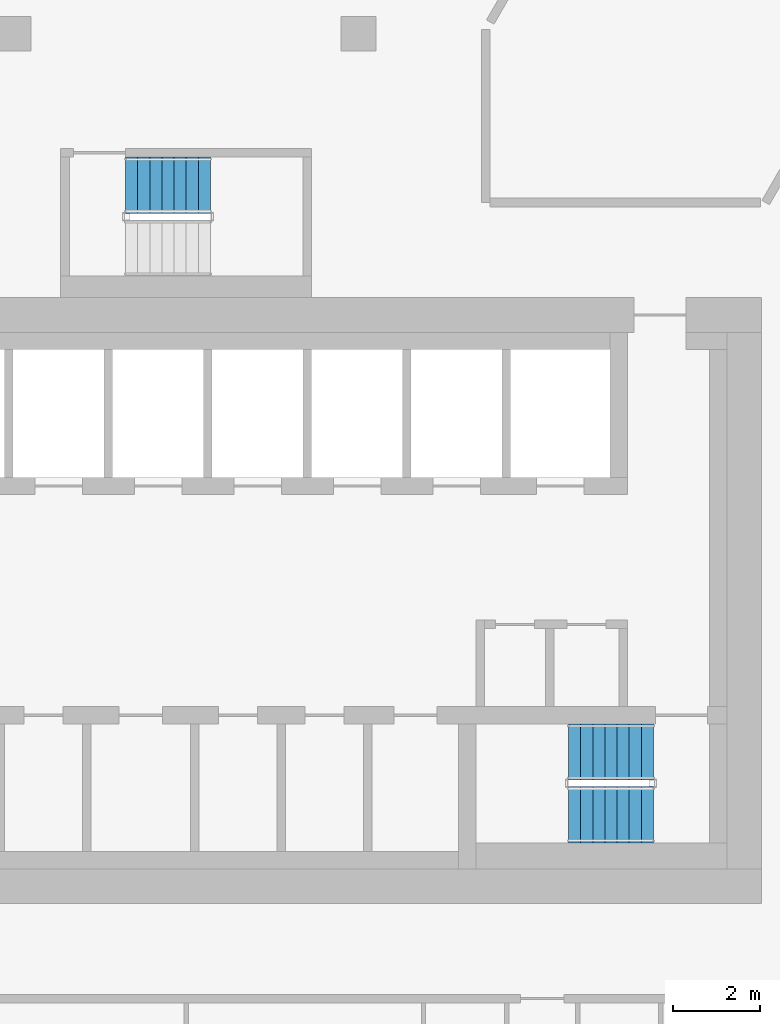
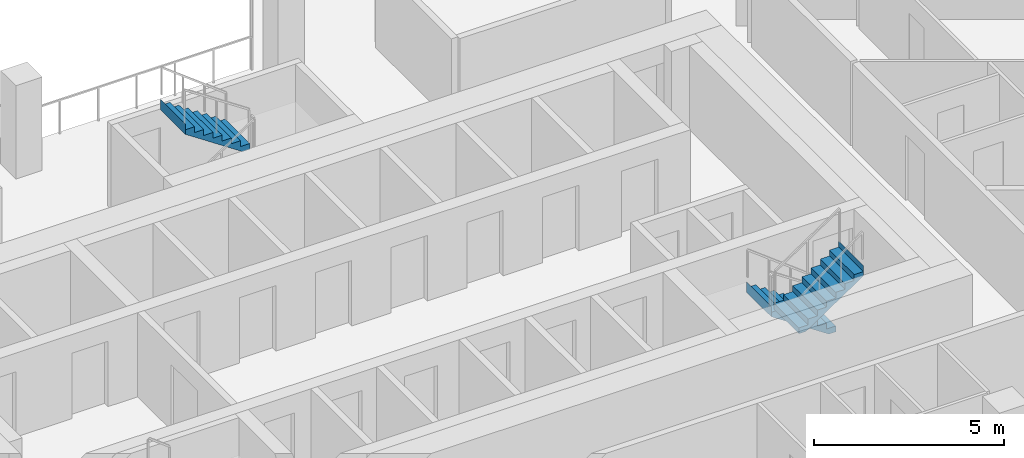
# One storey, part 14 of 18: 3 stair flights, 2 elements without a shape of their own.
"""IFC4 building model written with IfcOpenShell, lengths in metres."""

import ifcopenshell
import ifcopenshell.guid

model = None  # the IFC model being written
_history = None  # IfcOwnerHistory: only IFC2X3 demands one
_inside = {}  # id of a spatial element -> (the spatial element, [elements in it])
_under = {}  # id of a project, library or spatial element -> (it, [spatial elements below it])
_declared = {}  # id of a project -> (the project, [libraries it declares])
_typed = {}  # id of a type object -> (the type object, [elements of that type])
_made_of = {}  # id of a material, layer set ... -> (it, [elements and type objects made of it])


def new_model(schema):
    """Start an empty IFC model of exactly this schema.

    Asked for "IFC4X3", IfcOpenShell would pick the latest addendum, in which some entities
    have other attributes; the version numbers below select the first issue.
    IFC2X3 requires an IfcOwnerHistory on every rooted entity: one is made here for all.
    """
    global model, _history
    if schema == "IFC4X3":
        model = ifcopenshell.file(schema_version=(4, 3, 0, 0))
    else:
        model = ifcopenshell.file(schema=schema)
    _inside.clear()
    _under.clear()
    _declared.clear()
    _typed.clear()
    _made_of.clear()
    _history = None
    if model.schema == "IFC2X3":
        org = make("IfcOrganization", Name="unknown")
        user = make(
            "IfcPersonAndOrganization",
            ThePerson=make("IfcPerson", FamilyName="unknown"),
            TheOrganization=org,
        )
        app = make(
            "IfcApplication",
            ApplicationDeveloper=org,
            Version="unknown",
            ApplicationFullName="unknown",
            ApplicationIdentifier="unknown",
        )
        _history = make(
            "IfcOwnerHistory",
            OwningUser=user,
            OwningApplication=app,
            ChangeAction="ADDED",
            CreationDate=0,
        )
    return model


def make(cls, **values):
    """One entity of the class cls with the attributes given. An attribute that is None is left unset."""
    return model.create_entity(
        cls, **{name: value for name, value in values.items() if value is not None}
    )


def rooted(cls, **values):
    """An entity with a GlobalId (a new one), such as an element, a storey or a relation."""
    return make(cls, GlobalId=ifcopenshell.guid.new(), OwnerHistory=_history, **values)


def si_unit(unit_type, name, prefix=None):
    """IfcSIUnit, for example si_unit("LENGTHUNIT", "METRE", prefix="MILLI")."""
    return make("IfcSIUnit", UnitType=unit_type, Prefix=prefix, Name=name)


def assignment(units):
    """IfcUnitAssignment: the units of a project."""
    return None if units is None else make("IfcUnitAssignment", Units=units)


def point(xyz):
    """IfcCartesianPoint."""
    return None if xyz is None else make("IfcCartesianPoint", Coordinates=xyz)


def direction(xyz):
    """IfcDirection."""
    return None if xyz is None else make("IfcDirection", DirectionRatios=xyz)


def frame(location, z_axis=None, x_axis=None):
    """IfcAxis2Placement3D, a coordinate frame: its origin and axes. An axis left out is left unset."""
    return make(
        "IfcAxis2Placement3D",
        Location=point(location),
        Axis=direction(z_axis),
        RefDirection=direction(x_axis),
    )


def origin():
    """The frame at (0, 0, 0) with its axes left unset."""
    return frame((0.0, 0.0, 0.0))


def place(relative_to, where):
    """IfcLocalPlacement: puts the frame where relative to a parent placement (None: the world)."""
    return make(
        "IfcLocalPlacement", PlacementRelTo=relative_to, RelativePlacement=where
    )


def context(
    kind, dimensions, precision=None, world=None, true_north=None, identifier=None
):
    """IfcGeometricRepresentationContext, for example the 3D "Model" context."""
    return make(
        "IfcGeometricRepresentationContext",
        ContextIdentifier=identifier,
        ContextType=kind,
        CoordinateSpaceDimension=dimensions,
        Precision=precision,
        WorldCoordinateSystem=world,
        TrueNorth=true_north,
    )


def subcontext(parent, identifier, kind, view, scale=None):
    """IfcGeometricRepresentationSubContext, for example "Body" below "Model"."""
    return make(
        "IfcGeometricRepresentationSubContext",
        ContextIdentifier=identifier,
        ContextType=kind,
        ParentContext=parent,
        TargetScale=scale,
        TargetView=view,
    )


def project(units=None, contexts=None):
    """IfcProject with its units and contexts."""
    return rooted(
        "IfcProject",
        Name="project",
        RepresentationContexts=contexts,
        UnitsInContext=assignment(units),
    )


def spatial(cls, under=None, at=None, **own):
    """A site, building, storey or space (cls), placed at a placement, below another one or the project."""
    s = rooted(cls, ObjectPlacement=at, **own)
    if under is not None:
        _under.setdefault(under.id(), (under, []))[1].append(s)
    return s


def point_list(points):
    """IfcCartesianPointList2D or 3D."""
    cls = (
        "IfcCartesianPointList2D" if len(points[0]) == 2 else "IfcCartesianPointList3D"
    )
    return make(cls, CoordList=points)


def triangles(points, corners, closed=None, point_numbers=None):
    """IfcTriangulatedFaceSet: each triangle names its three corners, points numbered from 1."""
    return make(
        "IfcTriangulatedFaceSet",
        Coordinates=point_list(points),
        Closed=closed,
        CoordIndex=corners,
        PnIndex=point_numbers,
    )


def shape(context_of_items, identifier, shape_type, items):
    """IfcShapeRepresentation: the items that make up one representation, for example the "Body"."""
    return make(
        "IfcShapeRepresentation",
        ContextOfItems=context_of_items,
        RepresentationIdentifier=identifier,
        RepresentationType=shape_type,
        Items=items,
    )


def material(Name=None, Category=None):
    """IfcMaterial."""
    return make("IfcMaterial", Name=Name, Category=Category)


def made_of(thing, what):
    """Note that an element or type object is made of a material, layer set ...; save() writes the relation."""
    if what is not None:
        _made_of.setdefault(what.id(), (what, []))[1].append(thing)
    return thing


def type_object(cls, material=None, **own):
    """A type object (cls), such as IfcWallType, which elements share."""
    return made_of(rooted(cls, **own), material)


def element(
    cls,
    number,
    at=None,
    inside=None,
    cuts=None,
    type_object=None,
    material=None,
    context=None,
    identifier="Body",
    shape_type=None,
    held_by="IfcProductDefinitionShape",
    body=None,
    shapes=None,
    **own,
):
    """One element of the class cls, such as IfcWall. Its Tag is "e" and its number.

    at: its placement. inside: the storey or other place that contains it. cuts: it is an
    opening in that element (IfcRelVoidsElement). A single representation is given by context,
    identifier, shape_type and body (its items); several are given by shapes. held_by: the class
    of the entity that holds the representations. save() writes the other relations.
    """
    e = rooted(cls, Tag="e%d" % number, ObjectPlacement=at, **own)
    if body is not None:
        shapes = [shape(context, identifier, shape_type, body)]
    if shapes is not None:
        e.Representation = make(held_by, Representations=shapes)
    if inside is not None:
        _inside.setdefault(inside.id(), (inside, []))[1].append(e)
    if cuts is not None:
        rooted(
            "IfcRelVoidsElement", RelatingBuildingElement=cuts, RelatedOpeningElement=e
        )
    if type_object is not None:
        _typed.setdefault(type_object.id(), (type_object, []))[1].append(e)
    return made_of(e, material)


def aggregate(whole, parts):
    """IfcRelAggregates: a whole, such as a stair, and the parts it consists of."""
    return rooted("IfcRelAggregates", RelatingObject=whole, RelatedObjects=parts)


def save(model, path):
    """Write the relations noted so far, then the file.

    IfcRelAggregates (storeys below a building ...), IfcRelContainedInSpatialStructure (elements
    in a storey), IfcRelDefinesByType, IfcRelAssociatesMaterial and IfcRelDeclares: one each for
    every whole, place, type object, material and project.
    """
    for whole, parts in _under.values():
        aggregate(whole, parts)
    for where, things in _inside.values():
        rooted(
            "IfcRelContainedInSpatialStructure",
            RelatedElements=things,
            RelatingStructure=where,
        )
    for kind, things in _typed.values():
        rooted("IfcRelDefinesByType", RelatedObjects=things, RelatingType=kind)
    for what, things in _made_of.values():
        rooted("IfcRelAssociatesMaterial", RelatedObjects=things, RelatingMaterial=what)
    for by, libraries in _declared.values():
        rooted("IfcRelDeclares", RelatingContext=by, RelatedDefinitions=libraries)
    model.write(path)


model = new_model("IFC4")

# Units and contexts
model_context = context("Model", 3, precision=1e-05, world=origin(), true_north=direction((0.0, 1.0)))
body_context = subcontext(model_context, "Body", "Model", "MODEL_VIEW")
ifc_project = project(units=[si_unit("LENGTHUNIT", "METRE"), si_unit("AREAUNIT", "SQUARE_METRE"), si_unit("VOLUMEUNIT", "CUBIC_METRE"), si_unit("PLANEANGLEUNIT", "RADIAN"), si_unit("MASSUNIT", "GRAM", prefix="KILO")], contexts=[model_context])

# Site, building, storey
site_placement = place(None, origin())
site = spatial("IfcSite", under=ifc_project, at=site_placement, CompositionType="ELEMENT")
building_placement = place(site_placement, origin())
building = spatial("IfcBuilding", under=site, at=building_placement, Name="Beryl Residences", CompositionType="ELEMENT")
storey_placement = place(building_placement, frame((0.0, 0.0, 138.60009765625)))
storey = spatial("IfcBuildingStorey", under=building, at=storey_placement, Name="L42", CompositionType="ELEMENT", Elevation=138.60009765625)

# Stair, stair flights
ifc_material_1 = material(Name="Concrete C40/50", Category="concrete")
stair_type = type_object("IfcStairType", Name="ST1 protected exit stair, half-turn, 1300 mm flights", PredefinedType="HALF_TURN_STAIR", material=ifc_material_1)
stair_1_placement = place(storey_placement, origin())
stair_1 = element("IfcStair", 1, at=stair_1_placement, inside=storey, type_object=stair_type, Name="L42 PROTECTED EXIT STAIR ST-3", PredefinedType="HALF_TURN_STAIR")
ifc_material_2 = material(Name="Concrete C40/50", Category="concrete")
stair_flight_type = type_object("IfcStairFlightType", Name="SF1 stair flight 1300 mm", PredefinedType="STRAIGHT", material=ifc_material_2)
stair_flight_1_placement = place(storey_placement, frame((10.800048828125, -15.5, 0.0), z_axis=(0.0, 0.0, 1.0), x_axis=(-1.0, 0.0, 0.0)))
stair_flight_1 = element("IfcStairFlight", 2, at=stair_flight_1_placement, type_object=stair_flight_type, Name="ST-3 flight 1", NumberOfRisers=8, NumberOfTreads=7, PredefinedType="STRAIGHT", RiserHeight=0.1875, TreadLength=0.28, context=body_context, shape_type="Tessellation", body=[
    triangles([(0.0, -0.64990234375, 0.0), (0.0, -0.324951171875, 0.0), (0.0, 0.0, 0.0), (0.0, 0.324951171875, 0.0), (0.0, 0.64990234375, 0.0), (0.0, -0.64990234375, 0.1875), (0.0, -0.324951171875, 0.1875), (0.0, 0.0, 0.1875), (0.0, 0.324951171875, 0.1875), (0.0, 0.64990234375, 0.1875), (0.280029296875, -0.64990234375, 0.1875), (0.280029296875, -0.324951171875, 0.1875), (0.280029296875, 0.0, 0.1875), (0.280029296875, 0.324951171875, 0.1875), (0.280029296875, 0.64990234375, 0.1875), (0.280029296875, -0.64990234375, 0.375), (0.280029296875, -0.324951171875, 0.375), (0.280029296875, 0.0, 0.375), (0.280029296875, 0.324951171875, 0.375), (0.280029296875, 0.64990234375, 0.375), (0.56005859375, -0.64990234375, 0.375), (0.56005859375, -0.324951171875, 0.375), (0.56005859375, 0.0, 0.375), (0.56005859375, 0.324951171875, 0.375), (0.56005859375, 0.64990234375, 0.375), (0.56005859375, -0.64990234375, 0.5625), (0.56005859375, -0.324951171875, 0.5625), (0.56005859375, 0.0, 0.5625), (0.56005859375, 0.324951171875, 0.5625), (0.56005859375, 0.64990234375, 0.5625), (0.840087890625, -0.64990234375, 0.5625), (0.840087890625, -0.324951171875, 0.5625), (0.840087890625, 0.0, 0.5625), (0.840087890625, 0.324951171875, 0.5625), (0.840087890625, 0.64990234375, 0.5625), (0.840087890625, -0.64990234375, 0.75), (0.840087890625, -0.324951171875, 0.75), (0.840087890625, 0.0, 0.75), (0.840087890625, 0.324951171875, 0.75), (0.840087890625, 0.64990234375, 0.75), (1.1201171875, -0.64990234375, 0.75), (1.1201171875, -0.324951171875, 0.75), (1.1201171875, 0.0, 0.75), (1.1201171875, 0.324951171875, 0.75), (1.1201171875, 0.64990234375, 0.75), (1.1201171875, -0.64990234375, 0.9375), (1.1201171875, -0.324951171875, 0.9375), (1.1201171875, 0.0, 0.9375), (1.1201171875, 0.324951171875, 0.9375), (1.1201171875, 0.64990234375, 0.9375), (1.39990234375, -0.64990234375, 0.9375), (1.39990234375, -0.324951171875, 0.9375), (1.39990234375, 0.0, 0.9375), (1.39990234375, 0.324951171875, 0.9375), (1.39990234375, 0.64990234375, 0.9375), (1.39990234375, -0.64990234375, 1.125), (1.39990234375, -0.324951171875, 1.125), (1.39990234375, 0.0, 1.125), (1.39990234375, 0.324951171875, 1.125), (1.39990234375, 0.64990234375, 1.125), (1.679931640625, -0.64990234375, 1.125), (1.679931640625, -0.324951171875, 1.125), (1.679931640625, 0.0, 1.125), (1.679931640625, 0.324951171875, 1.125), (1.679931640625, 0.64990234375, 1.125), (1.679931640625, -0.64990234375, 1.3125), (1.679931640625, -0.324951171875, 1.3125), (1.679931640625, 0.0, 1.3125), (1.679931640625, 0.324951171875, 1.3125), (1.679931640625, 0.64990234375, 1.3125), (1.9599609375, -0.64990234375, 1.3125), (1.9599609375, -0.324951171875, 1.3125), (1.9599609375, 0.0, 1.3125), (1.9599609375, 0.324951171875, 1.3125), (1.9599609375, 0.64990234375, 1.3125), (1.9599609375, -0.64990234375, 1.5), (1.9599609375, -0.324951171875, 1.5), (1.9599609375, 0.0, 1.5), (1.9599609375, 0.324951171875, 1.5), (1.9599609375, 0.64990234375, 1.5), (1.9609375, -0.64990234375, 1.5), (1.9609375, -0.324951171875, 1.5), (1.9609375, 0.0, 1.5), (1.9609375, 0.324951171875, 1.5), (1.9609375, 0.64990234375, 1.5), (1.9609375, -0.64990234375, 1.16796875), (1.9609375, -0.324951171875, 1.16796875), (1.9609375, 0.0, 1.16796875), (1.9609375, 0.324951171875, 1.16796875), (1.9609375, 0.64990234375, 1.16796875), (0.216796875, -0.64990234375, 0.0), (0.216796875, -0.324951171875, 0.0), (0.216796875, 0.0, 0.0), (0.216796875, 0.324951171875, 0.0), (0.216796875, 0.64990234375, 0.0)], [[1, 6, 7], [1, 7, 2], [2, 7, 8], [2, 8, 3], [3, 8, 9], [3, 9, 4], [4, 9, 10], [4, 10, 5], [6, 11, 12], [6, 12, 7], [7, 12, 13], [7, 13, 8], [8, 13, 14], [8, 14, 9], [9, 14, 15], [9, 15, 10], [11, 16, 17], [11, 17, 12], [12, 17, 18], [12, 18, 13], [13, 18, 19], [13, 19, 14], [14, 19, 20], [14, 20, 15], [16, 21, 22], [16, 22, 17], [17, 22, 23], [17, 23, 18], [18, 23, 24], [18, 24, 19], [19, 24, 25], [19, 25, 20], [21, 26, 27], [21, 27, 22], [22, 27, 28], [22, 28, 23], [23, 28, 29], [23, 29, 24], [24, 29, 30], [24, 30, 25], [26, 31, 32], [26, 32, 27], [27, 32, 33], [27, 33, 28], [28, 33, 34], [28, 34, 29], [29, 34, 35], [29, 35, 30], [31, 36, 37], [31, 37, 32], [32, 37, 38], [32, 38, 33], [33, 38, 39], [33, 39, 34], [34, 39, 40], [34, 40, 35], [36, 41, 42], [36, 42, 37], [37, 42, 43], [37, 43, 38], [38, 43, 44], [38, 44, 39], [39, 44, 45], [39, 45, 40], [41, 46, 47], [41, 47, 42], [42, 47, 48], [42, 48, 43], [43, 48, 49], [43, 49, 44], [44, 49, 50], [44, 50, 45], [46, 51, 52], [46, 52, 47], [47, 52, 53], [47, 53, 48], [48, 53, 54], [48, 54, 49], [49, 54, 55], [49, 55, 50], [51, 56, 57], [51, 57, 52], [52, 57, 58], [52, 58, 53], [53, 58, 59], [53, 59, 54], [54, 59, 60], [54, 60, 55], [56, 61, 62], [56, 62, 57], [57, 62, 63], [57, 63, 58], [58, 63, 64], [58, 64, 59], [59, 64, 65], [59, 65, 60], [61, 66, 67], [61, 67, 62], [62, 67, 68], [62, 68, 63], [63, 68, 69], [63, 69, 64], [64, 69, 70], [64, 70, 65], [66, 71, 72], [66, 72, 67], [67, 72, 73], [67, 73, 68], [68, 73, 74], [68, 74, 69], [69, 74, 75], [69, 75, 70], [71, 76, 77], [71, 77, 72], [72, 77, 78], [72, 78, 73], [73, 78, 79], [73, 79, 74], [74, 79, 80], [74, 80, 75], [76, 81, 82], [76, 82, 77], [77, 82, 83], [77, 83, 78], [78, 83, 84], [78, 84, 79], [79, 84, 85], [79, 85, 80], [81, 86, 87], [81, 87, 82], [82, 87, 88], [82, 88, 83], [83, 88, 89], [83, 89, 84], [84, 89, 90], [84, 90, 85], [86, 91, 92], [86, 92, 87], [87, 92, 93], [87, 93, 88], [88, 93, 94], [88, 94, 89], [89, 94, 95], [89, 95, 90], [91, 1, 2], [91, 2, 92], [92, 2, 3], [92, 3, 93], [93, 3, 4], [93, 4, 94], [94, 4, 5], [94, 5, 95], [1, 91, 86], [5, 90, 95], [86, 81, 76], [90, 80, 85], [86, 76, 71], [90, 75, 80], [86, 71, 66], [90, 70, 75], [86, 66, 61], [90, 65, 70], [61, 56, 51], [65, 55, 60], [86, 61, 51], [90, 55, 65], [51, 46, 41], [55, 45, 50], [86, 51, 41], [90, 45, 55], [41, 36, 31], [45, 35, 40], [86, 41, 31], [90, 35, 45], [31, 26, 21], [35, 25, 30], [86, 31, 21], [90, 25, 35], [21, 16, 11], [25, 15, 20], [86, 21, 11], [90, 15, 25], [1, 86, 11], [5, 15, 90], [11, 6, 1], [15, 5, 10]], closed=True),
])
stair_flight_2_placement = place(storey_placement, frame((8.840087890625, -16.949951171875, 1.5), z_axis=(0.0, 0.0, 1.0), x_axis=(1.0, 0.0, 0.0)))
stair_flight_2 = element("IfcStairFlight", 3, at=stair_flight_2_placement, type_object=stair_flight_type, Name="ST-3 flight 2", NumberOfRisers=8, NumberOfTreads=7, PredefinedType="STRAIGHT", RiserHeight=0.1875, TreadLength=0.28, context=body_context, shape_type="Tessellation", body=[
    triangles([(0.0, -0.64990234375, 0.0), (0.0, -0.324951171875, 0.0), (0.0, 0.0, 0.0), (0.0, 0.324951171875, 0.0), (0.0, 0.64990234375, 0.0), (0.0, -0.64990234375, 0.1875), (0.0, -0.324951171875, 0.1875), (0.0, 0.0, 0.1875), (0.0, 0.324951171875, 0.1875), (0.0, 0.64990234375, 0.1875), (0.280029296875, -0.64990234375, 0.1875), (0.280029296875, -0.324951171875, 0.1875), (0.280029296875, 0.0, 0.1875), (0.280029296875, 0.324951171875, 0.1875), (0.280029296875, 0.64990234375, 0.1875), (0.280029296875, -0.64990234375, 0.375), (0.280029296875, -0.324951171875, 0.375), (0.280029296875, 0.0, 0.375), (0.280029296875, 0.324951171875, 0.375), (0.280029296875, 0.64990234375, 0.375), (0.56005859375, -0.64990234375, 0.375), (0.56005859375, -0.324951171875, 0.375), (0.56005859375, 0.0, 0.375), (0.56005859375, 0.324951171875, 0.375), (0.56005859375, 0.64990234375, 0.375), (0.56005859375, -0.64990234375, 0.5625), (0.56005859375, -0.324951171875, 0.5625), (0.56005859375, 0.0, 0.5625), (0.56005859375, 0.324951171875, 0.5625), (0.56005859375, 0.64990234375, 0.5625), (0.840087890625, -0.64990234375, 0.5625), (0.840087890625, -0.324951171875, 0.5625), (0.840087890625, 0.0, 0.5625), (0.840087890625, 0.324951171875, 0.5625), (0.840087890625, 0.64990234375, 0.5625), (0.840087890625, -0.64990234375, 0.75), (0.840087890625, -0.324951171875, 0.75), (0.840087890625, 0.0, 0.75), (0.840087890625, 0.324951171875, 0.75), (0.840087890625, 0.64990234375, 0.75), (1.1201171875, -0.64990234375, 0.75), (1.1201171875, -0.324951171875, 0.75), (1.1201171875, 0.0, 0.75), (1.1201171875, 0.324951171875, 0.75), (1.1201171875, 0.64990234375, 0.75), (1.1201171875, -0.64990234375, 0.9375), (1.1201171875, -0.324951171875, 0.9375), (1.1201171875, 0.0, 0.9375), (1.1201171875, 0.324951171875, 0.9375), (1.1201171875, 0.64990234375, 0.9375), (1.39990234375, -0.64990234375, 0.9375), (1.39990234375, -0.324951171875, 0.9375), (1.39990234375, 0.0, 0.9375), (1.39990234375, 0.324951171875, 0.9375), (1.39990234375, 0.64990234375, 0.9375), (1.39990234375, -0.64990234375, 1.125), (1.39990234375, -0.324951171875, 1.125), (1.39990234375, 0.0, 1.125), (1.39990234375, 0.324951171875, 1.125), (1.39990234375, 0.64990234375, 1.125), (1.679931640625, -0.64990234375, 1.125), (1.679931640625, -0.324951171875, 1.125), (1.679931640625, 0.0, 1.125), (1.679931640625, 0.324951171875, 1.125), (1.679931640625, 0.64990234375, 1.125), (1.679931640625, -0.64990234375, 1.3125), (1.679931640625, -0.324951171875, 1.3125), (1.679931640625, 0.0, 1.3125), (1.679931640625, 0.324951171875, 1.3125), (1.679931640625, 0.64990234375, 1.3125), (1.9599609375, -0.64990234375, 1.3125), (1.9599609375, -0.324951171875, 1.3125), (1.9599609375, 0.0, 1.3125), (1.9599609375, 0.324951171875, 1.3125), (1.9599609375, 0.64990234375, 1.3125), (1.9599609375, -0.64990234375, 1.5), (1.9599609375, -0.324951171875, 1.5), (1.9599609375, 0.0, 1.5), (1.9599609375, 0.324951171875, 1.5), (1.9599609375, 0.64990234375, 1.5), (1.9609375, -0.64990234375, 1.5), (1.9609375, -0.324951171875, 1.5), (1.9609375, 0.0, 1.5), (1.9609375, 0.324951171875, 1.5), (1.9609375, 0.64990234375, 1.5), (1.9609375, -0.64990234375, 1.16796875), (1.9609375, -0.324951171875, 1.16796875), (1.9609375, 0.0, 1.16796875), (1.9609375, 0.324951171875, 1.16796875), (1.9609375, 0.64990234375, 1.16796875), (0.216796875, -0.64990234375, 0.0), (0.216796875, -0.324951171875, 0.0), (0.216796875, 0.0, 0.0), (0.216796875, 0.324951171875, 0.0), (0.216796875, 0.64990234375, 0.0)], [[1, 6, 7], [1, 7, 2], [2, 7, 8], [2, 8, 3], [3, 8, 9], [3, 9, 4], [4, 9, 10], [4, 10, 5], [6, 11, 12], [6, 12, 7], [7, 12, 13], [7, 13, 8], [8, 13, 14], [8, 14, 9], [9, 14, 15], [9, 15, 10], [11, 16, 17], [11, 17, 12], [12, 17, 18], [12, 18, 13], [13, 18, 19], [13, 19, 14], [14, 19, 20], [14, 20, 15], [16, 21, 22], [16, 22, 17], [17, 22, 23], [17, 23, 18], [18, 23, 24], [18, 24, 19], [19, 24, 25], [19, 25, 20], [21, 26, 27], [21, 27, 22], [22, 27, 28], [22, 28, 23], [23, 28, 29], [23, 29, 24], [24, 29, 30], [24, 30, 25], [26, 31, 32], [26, 32, 27], [27, 32, 33], [27, 33, 28], [28, 33, 34], [28, 34, 29], [29, 34, 35], [29, 35, 30], [31, 36, 37], [31, 37, 32], [32, 37, 38], [32, 38, 33], [33, 38, 39], [33, 39, 34], [34, 39, 40], [34, 40, 35], [36, 41, 42], [36, 42, 37], [37, 42, 43], [37, 43, 38], [38, 43, 44], [38, 44, 39], [39, 44, 45], [39, 45, 40], [41, 46, 47], [41, 47, 42], [42, 47, 48], [42, 48, 43], [43, 48, 49], [43, 49, 44], [44, 49, 50], [44, 50, 45], [46, 51, 52], [46, 52, 47], [47, 52, 53], [47, 53, 48], [48, 53, 54], [48, 54, 49], [49, 54, 55], [49, 55, 50], [51, 56, 57], [51, 57, 52], [52, 57, 58], [52, 58, 53], [53, 58, 59], [53, 59, 54], [54, 59, 60], [54, 60, 55], [56, 61, 62], [56, 62, 57], [57, 62, 63], [57, 63, 58], [58, 63, 64], [58, 64, 59], [59, 64, 65], [59, 65, 60], [61, 66, 67], [61, 67, 62], [62, 67, 68], [62, 68, 63], [63, 68, 69], [63, 69, 64], [64, 69, 70], [64, 70, 65], [66, 71, 72], [66, 72, 67], [67, 72, 73], [67, 73, 68], [68, 73, 74], [68, 74, 69], [69, 74, 75], [69, 75, 70], [71, 76, 77], [71, 77, 72], [72, 77, 78], [72, 78, 73], [73, 78, 79], [73, 79, 74], [74, 79, 80], [74, 80, 75], [76, 81, 82], [76, 82, 77], [77, 82, 83], [77, 83, 78], [78, 83, 84], [78, 84, 79], [79, 84, 85], [79, 85, 80], [81, 86, 87], [81, 87, 82], [82, 87, 88], [82, 88, 83], [83, 88, 89], [83, 89, 84], [84, 89, 90], [84, 90, 85], [86, 91, 92], [86, 92, 87], [87, 92, 93], [87, 93, 88], [88, 93, 94], [88, 94, 89], [89, 94, 95], [89, 95, 90], [91, 1, 2], [91, 2, 92], [92, 2, 3], [92, 3, 93], [93, 3, 4], [93, 4, 94], [94, 4, 5], [94, 5, 95], [1, 91, 86], [5, 90, 95], [86, 81, 76], [90, 80, 85], [86, 76, 71], [90, 75, 80], [86, 71, 66], [90, 70, 75], [86, 66, 61], [90, 65, 70], [61, 56, 51], [65, 55, 60], [86, 61, 51], [90, 55, 65], [51, 46, 41], [55, 45, 50], [86, 51, 41], [90, 45, 55], [41, 36, 31], [45, 35, 40], [86, 41, 31], [90, 35, 45], [31, 26, 21], [35, 25, 30], [86, 31, 21], [90, 25, 35], [21, 16, 11], [25, 15, 20], [86, 21, 11], [90, 15, 25], [1, 86, 11], [5, 15, 90], [11, 6, 1], [15, 5, 10]], closed=True),
])
aggregate(stair_1, [stair_flight_1, stair_flight_2])

# Stair, stair flight
stair_2_placement = place(storey_placement, origin())
stair_2 = element("IfcStair", 4, at=stair_2_placement, inside=storey, type_object=stair_type, Name="L42 PROTECTED EXIT STAIR ST-4", PredefinedType="HALF_TURN_STAIR")
stair_flight_3_placement = place(storey_placement, frame((0.56005859375, -2.39990234375, 1.5), z_axis=(0.0, 0.0, 1.0), x_axis=(-1.0, 0.0, 0.0)))
stair_flight_3 = element("IfcStairFlight", 5, at=stair_flight_3_placement, type_object=stair_flight_type, Name="ST-4 flight 2", NumberOfRisers=8, NumberOfTreads=7, PredefinedType="STRAIGHT", RiserHeight=0.1875, TreadLength=0.28, context=body_context, shape_type="Tessellation", body=[
    triangles([(0.0, -0.64990234375, 0.0), (0.0, -0.324951171875, 0.0), (0.0, 0.0, 0.0), (0.0, 0.324951171875, 0.0), (0.0, 0.64990234375, 0.0), (0.0, -0.64990234375, 0.1875), (0.0, -0.324951171875, 0.1875), (0.0, 0.0, 0.1875), (0.0, 0.324951171875, 0.1875), (0.0, 0.64990234375, 0.1875), (0.280029296875, -0.64990234375, 0.1875), (0.280029296875, -0.324951171875, 0.1875), (0.280029296875, 0.0, 0.1875), (0.280029296875, 0.324951171875, 0.1875), (0.280029296875, 0.64990234375, 0.1875), (0.280029296875, -0.64990234375, 0.375), (0.280029296875, -0.324951171875, 0.375), (0.280029296875, 0.0, 0.375), (0.280029296875, 0.324951171875, 0.375), (0.280029296875, 0.64990234375, 0.375), (0.56005859375, -0.64990234375, 0.375), (0.56005859375, -0.324951171875, 0.375), (0.56005859375, 0.0, 0.375), (0.56005859375, 0.324951171875, 0.375), (0.56005859375, 0.64990234375, 0.375), (0.56005859375, -0.64990234375, 0.5625), (0.56005859375, -0.324951171875, 0.5625), (0.56005859375, 0.0, 0.5625), (0.56005859375, 0.324951171875, 0.5625), (0.56005859375, 0.64990234375, 0.5625), (0.840087890625, -0.64990234375, 0.5625), (0.840087890625, -0.324951171875, 0.5625), (0.840087890625, 0.0, 0.5625), (0.840087890625, 0.324951171875, 0.5625), (0.840087890625, 0.64990234375, 0.5625), (0.840087890625, -0.64990234375, 0.75), (0.840087890625, -0.324951171875, 0.75), (0.840087890625, 0.0, 0.75), (0.840087890625, 0.324951171875, 0.75), (0.840087890625, 0.64990234375, 0.75), (1.1201171875, -0.64990234375, 0.75), (1.1201171875, -0.324951171875, 0.75), (1.1201171875, 0.0, 0.75), (1.1201171875, 0.324951171875, 0.75), (1.1201171875, 0.64990234375, 0.75), (1.1201171875, -0.64990234375, 0.9375), (1.1201171875, -0.324951171875, 0.9375), (1.1201171875, 0.0, 0.9375), (1.1201171875, 0.324951171875, 0.9375), (1.1201171875, 0.64990234375, 0.9375), (1.39990234375, -0.64990234375, 0.9375), (1.39990234375, -0.324951171875, 0.9375), (1.39990234375, 0.0, 0.9375), (1.39990234375, 0.324951171875, 0.9375), (1.39990234375, 0.64990234375, 0.9375), (1.39990234375, -0.64990234375, 1.125), (1.39990234375, -0.324951171875, 1.125), (1.39990234375, 0.0, 1.125), (1.39990234375, 0.324951171875, 1.125), (1.39990234375, 0.64990234375, 1.125), (1.679931640625, -0.64990234375, 1.125), (1.679931640625, -0.324951171875, 1.125), (1.679931640625, 0.0, 1.125), (1.679931640625, 0.324951171875, 1.125), (1.679931640625, 0.64990234375, 1.125), (1.679931640625, -0.64990234375, 1.3125), (1.679931640625, -0.324951171875, 1.3125), (1.679931640625, 0.0, 1.3125), (1.679931640625, 0.324951171875, 1.3125), (1.679931640625, 0.64990234375, 1.3125), (1.9599609375, -0.64990234375, 1.3125), (1.9599609375, -0.324951171875, 1.3125), (1.9599609375, 0.0, 1.3125), (1.9599609375, 0.324951171875, 1.3125), (1.9599609375, 0.64990234375, 1.3125), (1.9599609375, -0.64990234375, 1.5), (1.9599609375, -0.324951171875, 1.5), (1.9599609375, 0.0, 1.5), (1.9599609375, 0.324951171875, 1.5), (1.9599609375, 0.64990234375, 1.5), (1.9609375, -0.64990234375, 1.5), (1.9609375, -0.324951171875, 1.5), (1.9609375, 0.0, 1.5), (1.9609375, 0.324951171875, 1.5), (1.9609375, 0.64990234375, 1.5), (1.9609375, -0.64990234375, 1.16796875), (1.9609375, -0.324951171875, 1.16796875), (1.9609375, 0.0, 1.16796875), (1.9609375, 0.324951171875, 1.16796875), (1.9609375, 0.64990234375, 1.16796875), (0.216796875, -0.64990234375, 0.0), (0.216796875, -0.324951171875, 0.0), (0.216796875, 0.0, 0.0), (0.216796875, 0.324951171875, 0.0), (0.216796875, 0.64990234375, 0.0)], [[1, 6, 7], [1, 7, 2], [2, 7, 8], [2, 8, 3], [3, 8, 9], [3, 9, 4], [4, 9, 10], [4, 10, 5], [6, 11, 12], [6, 12, 7], [7, 12, 13], [7, 13, 8], [8, 13, 14], [8, 14, 9], [9, 14, 15], [9, 15, 10], [11, 16, 17], [11, 17, 12], [12, 17, 18], [12, 18, 13], [13, 18, 19], [13, 19, 14], [14, 19, 20], [14, 20, 15], [16, 21, 22], [16, 22, 17], [17, 22, 23], [17, 23, 18], [18, 23, 24], [18, 24, 19], [19, 24, 25], [19, 25, 20], [21, 26, 27], [21, 27, 22], [22, 27, 28], [22, 28, 23], [23, 28, 29], [23, 29, 24], [24, 29, 30], [24, 30, 25], [26, 31, 32], [26, 32, 27], [27, 32, 33], [27, 33, 28], [28, 33, 34], [28, 34, 29], [29, 34, 35], [29, 35, 30], [31, 36, 37], [31, 37, 32], [32, 37, 38], [32, 38, 33], [33, 38, 39], [33, 39, 34], [34, 39, 40], [34, 40, 35], [36, 41, 42], [36, 42, 37], [37, 42, 43], [37, 43, 38], [38, 43, 44], [38, 44, 39], [39, 44, 45], [39, 45, 40], [41, 46, 47], [41, 47, 42], [42, 47, 48], [42, 48, 43], [43, 48, 49], [43, 49, 44], [44, 49, 50], [44, 50, 45], [46, 51, 52], [46, 52, 47], [47, 52, 53], [47, 53, 48], [48, 53, 54], [48, 54, 49], [49, 54, 55], [49, 55, 50], [51, 56, 57], [51, 57, 52], [52, 57, 58], [52, 58, 53], [53, 58, 59], [53, 59, 54], [54, 59, 60], [54, 60, 55], [56, 61, 62], [56, 62, 57], [57, 62, 63], [57, 63, 58], [58, 63, 64], [58, 64, 59], [59, 64, 65], [59, 65, 60], [61, 66, 67], [61, 67, 62], [62, 67, 68], [62, 68, 63], [63, 68, 69], [63, 69, 64], [64, 69, 70], [64, 70, 65], [66, 71, 72], [66, 72, 67], [67, 72, 73], [67, 73, 68], [68, 73, 74], [68, 74, 69], [69, 74, 75], [69, 75, 70], [71, 76, 77], [71, 77, 72], [72, 77, 78], [72, 78, 73], [73, 78, 79], [73, 79, 74], [74, 79, 80], [74, 80, 75], [76, 81, 82], [76, 82, 77], [77, 82, 83], [77, 83, 78], [78, 83, 84], [78, 84, 79], [79, 84, 85], [79, 85, 80], [81, 86, 87], [81, 87, 82], [82, 87, 88], [82, 88, 83], [83, 88, 89], [83, 89, 84], [84, 89, 90], [84, 90, 85], [86, 91, 92], [86, 92, 87], [87, 92, 93], [87, 93, 88], [88, 93, 94], [88, 94, 89], [89, 94, 95], [89, 95, 90], [91, 1, 2], [91, 2, 92], [92, 2, 3], [92, 3, 93], [93, 3, 4], [93, 4, 94], [94, 4, 5], [94, 5, 95], [1, 91, 86], [5, 90, 95], [86, 81, 76], [90, 80, 85], [86, 76, 71], [90, 75, 80], [86, 71, 66], [90, 70, 75], [86, 66, 61], [90, 65, 70], [61, 56, 51], [65, 55, 60], [86, 61, 51], [90, 55, 65], [51, 46, 41], [55, 45, 50], [86, 51, 41], [90, 45, 55], [41, 36, 31], [45, 35, 40], [86, 41, 31], [90, 35, 45], [31, 26, 21], [35, 25, 30], [86, 31, 21], [90, 25, 35], [21, 16, 11], [25, 15, 20], [86, 21, 11], [90, 15, 25], [1, 86, 11], [5, 15, 90], [11, 6, 1], [15, 5, 10]], closed=True),
])
aggregate(stair_2, [stair_flight_3])

save(model, "model.ifc")
